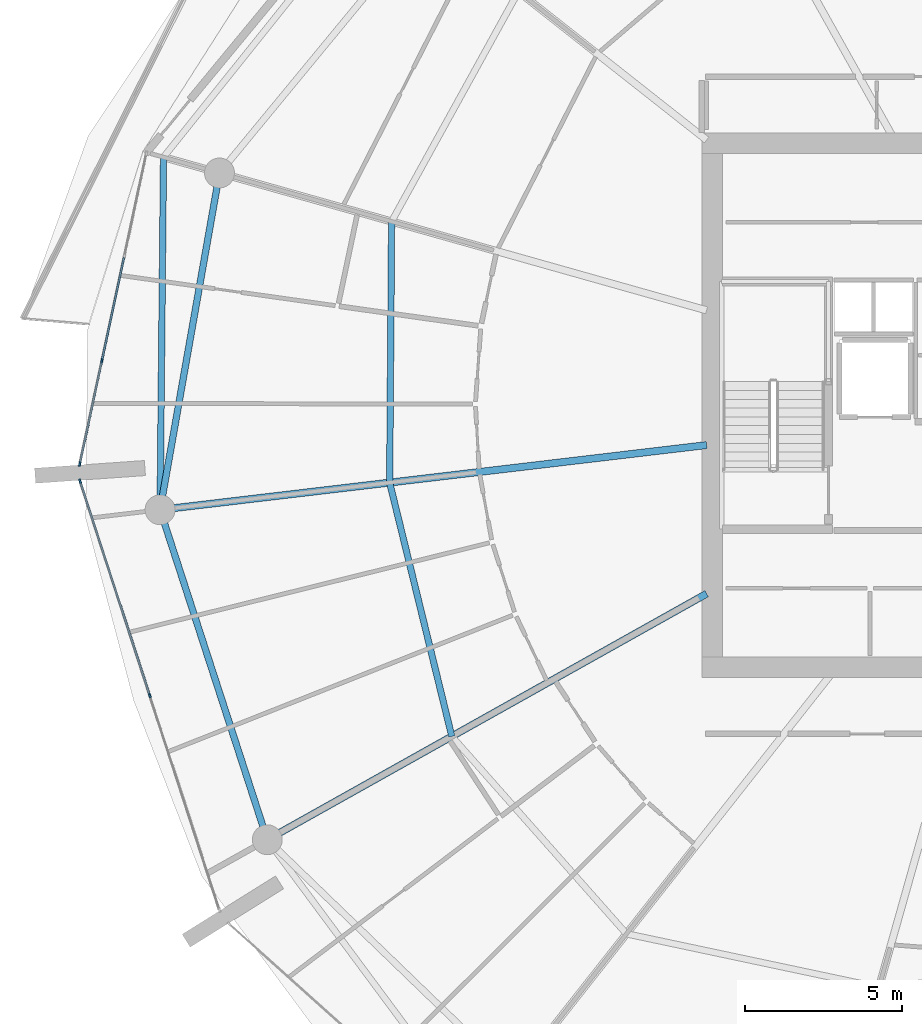
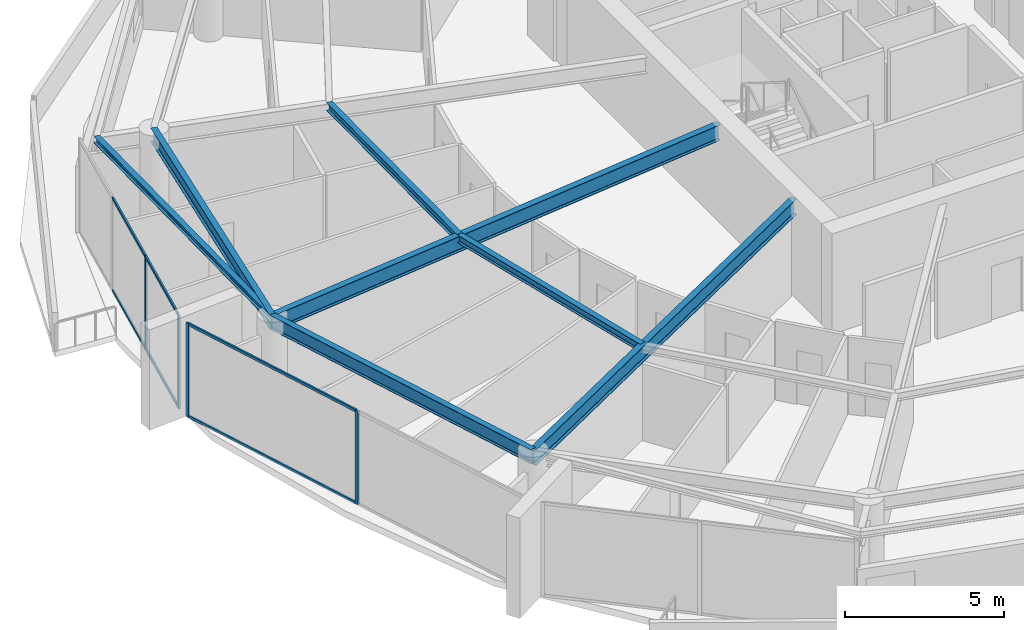
# One storey, part 7 of 29: 10 members, 7 beams, 2 elements without a shape of their own.
"""IFC4 building model written with IfcOpenShell, lengths in metres."""

from ifc_helpers import new_model, si_unit, direction, frame, origin, origin_2d, place, context, subcontext, project, spatial, rectangle, i_section, extrude, material, layer, layer_set, material_profile, profile_set, type_object, element, aggregate, save


model = new_model("IFC4")

# Units and contexts
model_context = context("Model", 3, precision=1e-05, world=origin(), true_north=direction((0.0, 1.0)))
body_context = subcontext(model_context, "Body", "Model", "MODEL_VIEW")
ifc_project = project(units=[si_unit("LENGTHUNIT", "METRE"), si_unit("AREAUNIT", "SQUARE_METRE"), si_unit("VOLUMEUNIT", "CUBIC_METRE"), si_unit("PLANEANGLEUNIT", "RADIAN"), si_unit("MASSUNIT", "GRAM", prefix="KILO")], contexts=[model_context])

# Site, building, storey
site_placement = place(None, origin())
site = spatial("IfcSite", under=ifc_project, at=site_placement, CompositionType="ELEMENT")
building_placement = place(site_placement, origin())
building = spatial("IfcBuilding", under=site, at=building_placement, Name="Kazma Halo Residences", CompositionType="ELEMENT")
storey_placement = place(building_placement, frame((0.0, 0.0, 252.10009765625)))
storey = spatial("IfcBuildingStorey", under=building, at=storey_placement, Name="L63", CompositionType="ELEMENT", Elevation=252.10009765625)

# Beams
ifc_material_1 = material(Name="Steel S355", Category="steel")
ifc_material_profile_1 = material_profile(ifc_material_1, i_section(OverallWidth=0.201904296875, OverallDepth=0.2470703125, WebThickness=0.00732421875, FlangeThickness=0.010986328125, FilletRadius=0.011962890625, at=origin_2d()), Name="W250x49.1")
ifc_profile_set_1 = profile_set([ifc_material_profile_1], Name="Steel S355")
beam_type_1 = type_object("IfcBeamType", Name="BM-BAL-CANT", PredefinedType="BEAM", material=ifc_profile_set_1)
beam_1_placement = place(storey_placement, frame((20.028564453125, 49.888916015625, 3.46630859375), z_axis=(-0.009645503464, -0.999953481049, 0.0), x_axis=(0.999953481049, -0.009645503464, 0.0)))
element("IfcBeam", 1, at=beam_1_placement, inside=storey, type_object=beam_type_1, Name="L63 wave-balcony tie beam 07", PredefinedType="BEAM", context=body_context, shape_type="SweptSolid", body=[
    extrude(i_section(OverallWidth=0.201904296875, OverallDepth=0.2470703125, WebThickness=0.00732421875, FlangeThickness=0.010986328125, FilletRadius=0.011962890625, at=origin_2d()), origin(), (0.0, 0.0, 1.0), 11.212890625),
])
ifc_material_profile_2 = material_profile(ifc_material_1, i_section(OverallWidth=0.22802734375, OverallDepth=0.60791015625, WebThickness=0.01123046875, FlangeThickness=0.017333984375, FilletRadius=0.01806640625, at=origin_2d()), Name="W610x113")
ifc_profile_set_2 = profile_set([ifc_material_profile_2], Name="Steel S355")
beam_type_2 = type_object("IfcBeamType", Name="BM-RAD-W610", PredefinedType="BEAM", material=ifc_profile_set_2)
beam_2_placement = place(storey_placement, frame((37.300048828125, 40.733642578125, 3.285888671875), z_axis=(-0.993067702517, -0.117543771495, 0.0), x_axis=(0.117543771495, -0.993067702517, 0.0)))
element("IfcBeam", 2, at=beam_2_placement, inside=storey, type_object=beam_type_2, Name="L63 radial floor beam 08", PredefinedType="BEAM", context=body_context, shape_type="SweptSolid", body=[
    extrude(i_section(OverallWidth=0.22802734375, OverallDepth=0.60791015625, WebThickness=0.01123046875, FlangeThickness=0.017333984375, FilletRadius=0.01806640625, at=origin_2d()), origin(), (0.0, 0.0, 1.0), 17.5009765625),
])
beam_3_placement = place(storey_placement, frame((37.300048828125, 36.0078125, 3.285888671875), z_axis=(-0.872498735757, -0.488616369049, 0.0), x_axis=(0.488616369049, -0.872498735757, 0.0)))
element("IfcBeam", 3, at=beam_3_placement, inside=storey, type_object=beam_type_2, Name="L63 radial floor beam 09", PredefinedType="BEAM", context=body_context, shape_type="SweptSolid", body=[
    extrude(i_section(OverallWidth=0.22802734375, OverallDepth=0.60791015625, WebThickness=0.01123046875, FlangeThickness=0.017333984375, FilletRadius=0.01806640625, at=origin_2d()), origin(), (0.0, 0.0, 1.0), 16.011962890625),
])
ifc_material_profile_3 = material_profile(ifc_material_1, i_section(OverallWidth=0.202880859375, OverallDepth=0.302978515625, WebThickness=0.007568359375, FlangeThickness=0.01318359375, FilletRadius=0.013916015625, at=origin_2d()), Name="W310x60")
ifc_profile_set_3 = profile_set([ifc_material_profile_3], Name="Steel S355")
beam_type_3 = type_object("IfcBeamType", Name="BM-SEC-W310A", PredefinedType="JOIST", material=ifc_profile_set_3)
beam_4_placement = place(storey_placement, frame((27.282470703125, 47.843017578125, 3.4384765625), z_axis=(-0.007527648623, -0.999971666852, 0.0), x_axis=(0.999971666852, -0.007527648623, 0.0)))
element("IfcBeam", 4, at=beam_4_placement, inside=storey, type_object=beam_type_3, Name="L63 circumferential floor joist 07", PredefinedType="JOIST", context=body_context, shape_type="SweptSolid", body=[
    extrude(i_section(OverallWidth=0.202880859375, OverallDepth=0.302978515625, WebThickness=0.007568359375, FlangeThickness=0.01318359375, FilletRadius=0.013916015625, at=origin_2d()), origin(), (0.0, 0.0, 1.0), 8.302734375),
])
beam_5_placement = place(storey_placement, frame((27.219970703125, 39.54052734375, 3.4384765625), z_axis=(0.237963200266, -0.971274171035, 0.0), x_axis=(0.971274171035, 0.237963200266, 0.0)))
element("IfcBeam", 5, at=beam_5_placement, inside=storey, type_object=beam_type_3, Name="L63 circumferential floor joist 08", PredefinedType="JOIST", context=body_context, shape_type="SweptSolid", body=[
    extrude(i_section(OverallWidth=0.202880859375, OverallDepth=0.302978515625, WebThickness=0.007568359375, FlangeThickness=0.01318359375, FilletRadius=0.013916015625, at=origin_2d()), origin(), (0.0, 0.0, 1.0), 8.309326171875),
])
ifc_material_profile_4 = material_profile(ifc_material_1, i_section(OverallWidth=0.208984375, OverallDepth=0.532958984375, WebThickness=0.01025390625, FlangeThickness=0.015625, FilletRadius=0.01611328125, at=origin_2d()), Name="W530x92")
ifc_profile_set_4 = profile_set([ifc_material_profile_4], Name="Steel S355")
beam_type_4 = type_object("IfcBeamType", Name="BM-SPN-W530", PredefinedType="BEAM", material=ifc_profile_set_4)
beam_6_placement = place(storey_placement, frame((21.80908203125, 49.38671875, 3.323486328125), z_axis=(-0.173663672311, -0.984805020763, 0.0), x_axis=(0.984805020763, -0.173663672311, 0.0)))
element("IfcBeam", 6, at=beam_6_placement, inside=storey, type_object=beam_type_4, Name="L63 perimeter ring beam 07", PredefinedType="BEAM", context=body_context, shape_type="SweptSolid", body=[
    extrude(i_section(OverallWidth=0.208984375, OverallDepth=0.532958984375, WebThickness=0.01025390625, FlangeThickness=0.015625, FilletRadius=0.01611328125, at=origin_2d()), origin(), (0.0, 0.0, 1.0), 10.87548828125),
])
beam_7_placement = place(storey_placement, frame((19.92041015625, 38.676513671875, 3.323486328125), z_axis=(0.309015517474, -0.951056996168, 0.0), x_axis=(0.951056996168, 0.309015517474, 0.0)))
element("IfcBeam", 7, at=beam_7_placement, inside=storey, type_object=beam_type_4, Name="L63 perimeter ring beam 08", PredefinedType="BEAM", context=body_context, shape_type="SweptSolid", body=[
    extrude(i_section(OverallWidth=0.208984375, OverallDepth=0.532958984375, WebThickness=0.01025390625, FlangeThickness=0.015625, FilletRadius=0.01611328125, at=origin_2d()), origin(), (0.0, 0.0, 1.0), 11.032470703125),
])

# Curtain wall, members
ifc_material_2 = material(Name="Aluminium AW-6063 T6 and Triple-Silver Low-E Glass", Category="aluminium")
ifc_layer = layer(ifc_material_2, 0.139892578125)
ifc_layer_set = layer_set([ifc_layer], Name="Aluminium AW-6063 T6 and Triple-Silver Low-E Glass")
curtain_wall_type = type_object("IfcCurtainWallType", Name="CW-SYS-5", PredefinedType="NOTDEFINED", material=ifc_layer_set)
curtain_wall_1_placement = place(storey_placement, origin())
curtain_wall_1 = element("IfcCurtainWall", 8, at=curtain_wall_1_placement, inside=storey, type_object=curtain_wall_type, Name="L63 unitised curtain wall B07", PredefinedType="NOTDEFINED")
ifc_material_3 = material(Name="Aluminium AW-6063 T6", Category="aluminium")
ifc_material_profile_5 = material_profile(ifc_material_3, rectangle(XDim=0.06005859375, YDim=0.139892578125, at=origin_2d()), Name="CWM-60x140")
ifc_profile_set_5 = profile_set([ifc_material_profile_5], Name="Aluminium AW-6063 T6")
member_type_1 = type_object("IfcMemberType", Name="CW-SYS-5-MUL", PredefinedType="MULLION", material=ifc_profile_set_5)
member_1_placement = place(storey_placement, frame((18.0703125, 43.412841796875, 0.0), z_axis=(0.0, 0.0, 1.0), x_axis=(0.97777491373, -0.209657382603, 0.0)))
member_1 = element("IfcMember", 9, at=member_1_placement, type_object=member_type_1, Name="CWS-5 mullion 3", PredefinedType="MULLION", context=body_context, shape_type="SweptSolid", body=[
    extrude(rectangle(XDim=0.06005859375, YDim=0.139892578125, at=origin_2d()), origin(), (0.0, 0.0, 1.0), 3.58984375),
])
member_2_placement = place(storey_placement, frame((17.3662109375, 40.12841796875, 0.0), z_axis=(0.0, 0.0, 1.0), x_axis=(0.97777491373, -0.209657382603, 0.0)))
member_2 = element("IfcMember", 10, at=member_2_placement, type_object=member_type_1, Name="CWS-5 mullion 4", PredefinedType="MULLION", context=body_context, shape_type="SweptSolid", body=[
    extrude(rectangle(XDim=0.06005859375, YDim=0.139892578125, at=origin_2d()), origin(), (0.0, 0.0, 1.0), 3.58984375),
])

curtain_wall_2_placement = place(storey_placement, origin())
curtain_wall_2 = element("IfcCurtainWall", 11, at=curtain_wall_2_placement, inside=storey, type_object=curtain_wall_type, Name="L63 unitised curtain wall B08", PredefinedType="NOTDEFINED")
member_3_placement = place(storey_placement, frame((17.377197265625, 39.587646484375, 0.0), z_axis=(0.0, 0.0, 1.0), x_axis=(0.951058464359, 0.309010998786, 0.0)))
member_3 = element("IfcMember", 12, at=member_3_placement, type_object=member_type_1, Name="CWS-5 mullion 1", PredefinedType="MULLION", context=body_context, shape_type="SweptSolid", body=[
    extrude(rectangle(XDim=0.06005859375, YDim=0.139892578125, at=origin_2d()), origin(), (0.0, 0.0, 1.0), 3.58984375),
])
member_4_placement = place(storey_placement, frame((19.59228515625, 32.769775390625, 0.0), z_axis=(0.0, 0.0, 1.0), x_axis=(0.951058464359, 0.309010998786, 0.0)))
member_4 = element("IfcMember", 13, at=member_4_placement, type_object=member_type_1, Name="CWS-5 mullion 2", PredefinedType="MULLION", context=body_context, shape_type="SweptSolid", body=[
    extrude(rectangle(XDim=0.06005859375, YDim=0.139892578125, at=origin_2d()), origin(), (0.0, 0.0, 1.0), 3.58984375),
])

# Member
ifc_material_profile_6 = material_profile(ifc_material_3, rectangle(XDim=0.06005859375, YDim=0.10498046875, at=origin_2d()), Name="CWT-60x105")
ifc_profile_set_6 = profile_set([ifc_material_profile_6], Name="Aluminium AW-6063 T6")
member_type_2 = type_object("IfcMemberType", Name="CW-SYS-5-TRN", PredefinedType="USERDEFINED", material=ifc_profile_set_6)
member_5_placement = place(storey_placement, frame((18.774658203125, 46.697265625, 0.02978515625), z_axis=(-0.209664309019, -0.977773428522, 0.0), x_axis=(0.977773428522, -0.209664309019, 0.0)))
member_5 = element("IfcMember", 14, at=member_5_placement, type_object=member_type_2, Name="CWS-5 transom 2.1", ObjectType="TRANSOM", PredefinedType="USERDEFINED", context=body_context, shape_type="SweptSolid", body=[
    extrude(rectangle(XDim=0.06005859375, YDim=0.10498046875, at=origin_2d()), origin(), (0.0, 0.0, 1.0), 3.3291015625),
])

member_6_placement = place(storey_placement, frame((18.774658203125, 46.697265625, 3.559814453125), z_axis=(-0.209664309019, -0.977773428522, 0.0), x_axis=(0.977773428522, -0.209664309019, 0.0)))
member_6 = element("IfcMember", 15, at=member_6_placement, type_object=member_type_2, Name="CWS-5 transom 2.2", ObjectType="TRANSOM", PredefinedType="USERDEFINED", context=body_context, shape_type="SweptSolid", body=[
    extrude(rectangle(XDim=0.06005859375, YDim=0.10498046875, at=origin_2d()), origin(), (0.0, 0.0, 1.0), 3.3291015625),
])

member_7_placement = place(storey_placement, frame((18.064208984375, 43.383544921875, 0.02978515625), z_axis=(-0.209645323239, -0.977777499457, 0.0), x_axis=(0.977777499457, -0.209645323239, 0.0)))
member_7 = element("IfcMember", 16, at=member_7_placement, type_object=member_type_2, Name="CWS-5 transom 3.1", ObjectType="TRANSOM", PredefinedType="USERDEFINED", context=body_context, shape_type="SweptSolid", body=[
    extrude(rectangle(XDim=0.06005859375, YDim=0.10498046875, at=origin_2d()), origin(), (0.0, 0.0, 1.0), 3.299072265625),
])

member_8_placement = place(storey_placement, frame((18.064208984375, 43.383544921875, 3.559814453125), z_axis=(-0.209645323239, -0.977777499457, 0.0), x_axis=(0.977777499457, -0.209645323239, 0.0)))
member_8 = element("IfcMember", 17, at=member_8_placement, type_object=member_type_2, Name="CWS-5 transom 3.2", ObjectType="TRANSOM", PredefinedType="USERDEFINED", context=body_context, shape_type="SweptSolid", body=[
    extrude(rectangle(XDim=0.06005859375, YDim=0.10498046875, at=origin_2d()), origin(), (0.0, 0.0, 1.0), 3.299072265625),
])

aggregate(curtain_wall_1, [member_1, member_2, member_5, member_6, member_7, member_8])

member_9_placement = place(storey_placement, frame((17.386474609375, 39.55908203125, 0.02978515625), z_axis=(0.308995987448, -0.951063341603, 0.0), x_axis=(0.951063341603, 0.308995987448, 0.0)))
member_9 = element("IfcMember", 18, at=member_9_placement, type_object=member_type_2, Name="CWS-5 transom 1.1", ObjectType="TRANSOM", PredefinedType="USERDEFINED", context=body_context, shape_type="SweptSolid", body=[
    extrude(rectangle(XDim=0.06005859375, YDim=0.10498046875, at=origin_2d()), origin(), (0.0, 0.0, 1.0), 7.108642578125),
])

member_10_placement = place(storey_placement, frame((17.386474609375, 39.55908203125, 3.559814453125), z_axis=(0.308995987448, -0.951063341603, 0.0), x_axis=(0.951063341603, 0.308995987448, 0.0)))
member_10 = element("IfcMember", 19, at=member_10_placement, type_object=member_type_2, Name="CWS-5 transom 1.2", ObjectType="TRANSOM", PredefinedType="USERDEFINED", context=body_context, shape_type="SweptSolid", body=[
    extrude(rectangle(XDim=0.06005859375, YDim=0.10498046875, at=origin_2d()), origin(), (0.0, 0.0, 1.0), 7.108642578125),
])

aggregate(curtain_wall_2, [member_3, member_4, member_9, member_10])

save(model, "model.ifc")
